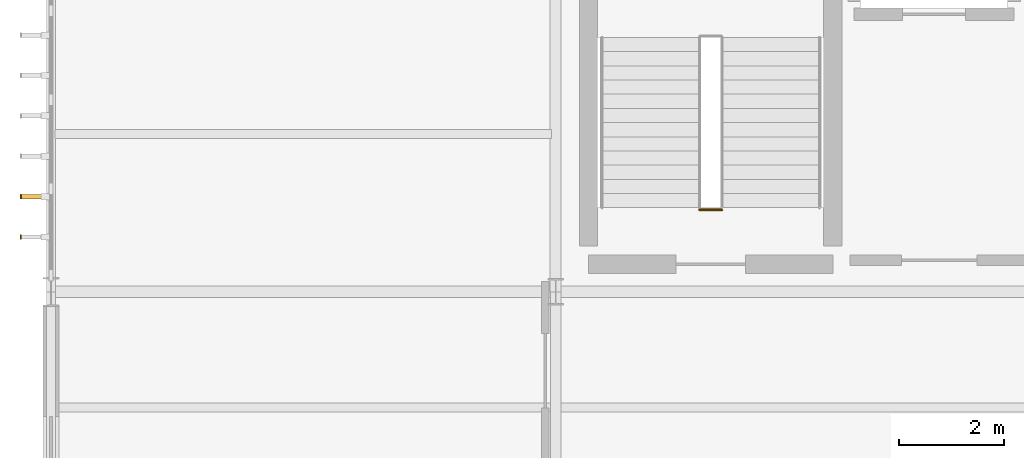
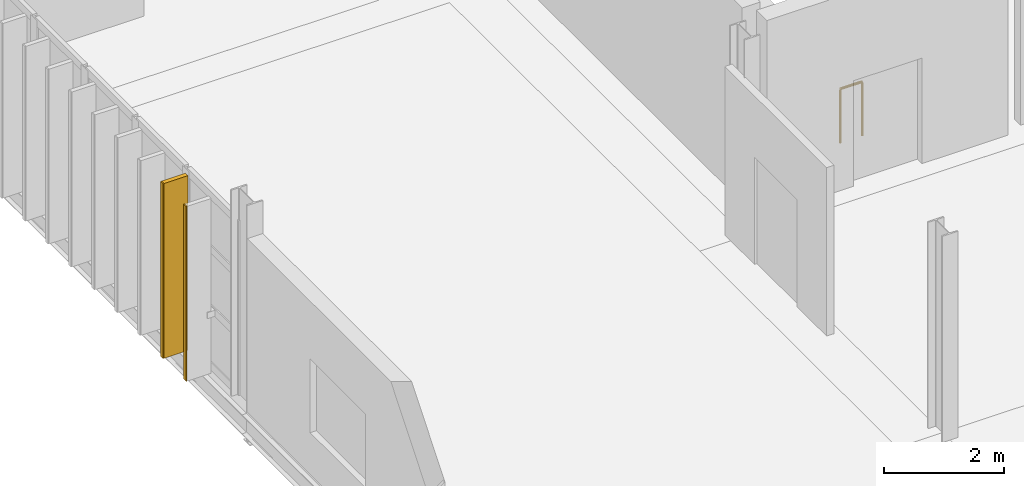
# One storey, part 40 of 52: 2 coverings, 1 railing, 1 shading device.
"""IFC4 building model written with IfcOpenShell, lengths in metres."""

from ifc_helpers import new_model, si_unit, direction, frame, origin, origin_2d, place, context, subcontext, project, spatial, rectangle, circle, extrude, material, layer, layer_set, type_object, element, save


model = new_model("IFC4")

# Units and contexts
model_context = context("Model", 3, precision=1e-05, world=origin(), true_north=direction((0.0, 1.0)))
body_context = subcontext(model_context, "Body", "Model", "MODEL_VIEW")
ifc_project = project(units=[si_unit("LENGTHUNIT", "METRE"), si_unit("AREAUNIT", "SQUARE_METRE"), si_unit("VOLUMEUNIT", "CUBIC_METRE"), si_unit("PLANEANGLEUNIT", "RADIAN"), si_unit("MASSUNIT", "GRAM", prefix="KILO")], contexts=[model_context])

# Site, building, storey
site_placement = place(None, origin())
site = spatial("IfcSite", under=ifc_project, at=site_placement, CompositionType="ELEMENT")
building_placement = place(site_placement, origin())
building = spatial("IfcBuilding", under=site, at=building_placement, Name="Zarnetskaya Central Station", CompositionType="ELEMENT")
storey_placement = place(building_placement, frame((0.0, 0.0, 14.39990234375)))
storey = spatial("IfcBuildingStorey", under=building, at=storey_placement, Name="L03", CompositionType="ELEMENT", Elevation=14.39990234375)

# Coverings
ifc_material_1 = material(Name="Treated larch timber", Category="wood")
ifc_layer = layer(ifc_material_1, 0.02001953125, Name="Treated larch timber", Category="wood")
ifc_layer_set = layer_set([ifc_layer], Name="Treated larch timber")
covering_type = type_object("IfcCoveringType", Name="COV-LARCH-CAP", PredefinedType="CLADDING", material=ifc_layer_set)
for number, where, z_axis, x_axis, name in (
    (1, (-0.580078125, 14.2431640625, 0.0), (0.0, 0.0, 1.0), (0.0, 1.0, 0.0), "Larch fin weather cap CW-L03-032-01"),
    (2, (-0.580078125, 15.011474609375, 0.0), (0.0, 0.0, 1.0), (0.0, 1.0, 0.0), "Larch fin weather cap CW-L03-032-02"),
):
    element("IfcCovering", number, at=place(storey_placement, frame(where, z_axis=z_axis, x_axis=x_axis)), inside=storey, type_object=covering_type, Name=name, PredefinedType="CLADDING", context=body_context, shape_type="SweptSolid", body=[
        extrude(rectangle(XDim=0.0849609375, YDim=0.02001953125, at=origin_2d()), origin(), (0.0, 0.0, 1.0), 3.56005859375),
    ])

# Railing
ifc_material_2 = material(Name="Steel S355", Category="steel")
railing_type = type_object("IfcRailingType", Name="RAIL-STAIR-GRD", PredefinedType="BALUSTRADE", material=ifc_material_2)
railing_placement = place(storey_placement, frame((12.340087890625, 14.760009765625, 0.0)))
element("IfcRailing", 3, at=railing_placement, inside=storey, type_object=railing_type, Name="Stair ST-C1 L03 floor well guard", PredefinedType="BALUSTRADE", context=body_context, shape_type="SweptSolid", body=[
    extrude(circle(Radius=0.02392578125, at=origin_2d()), frame((0.0, 0.0, 1.09619140625), z_axis=(1.0, 0.0, 0.0), x_axis=(0.0, 1.0, 0.0)), (0.0, 0.0, 1.0), 0.419921875),
    extrude(circle(Radius=0.02099609375, at=origin_2d()), origin(), (0.0, 0.0, 1.0), 1.072021484375),
    extrude(circle(Radius=0.02099609375, at=origin_2d()), frame((0.419921875, 0.0, 0.0)), (0.0, 0.0, 1.0), 1.072021484375),
])

# Shading device
ifc_material_3 = material(Name="Larch glulam GL28h", Category="wood")
shading_device_type = type_object("IfcShadingDeviceType", Name="SHD-LARCH-FIN-B", PredefinedType="USERDEFINED", material=ifc_material_3)
shading_device_placement = place(storey_placement, frame((-0.340087890625, 15.011474609375, 0.0), z_axis=(0.0, 0.0, 1.0), x_axis=(0.0, 1.0, 0.0)))
element("IfcShadingDevice", 4, at=shading_device_placement, inside=storey, type_object=shading_device_type, Name="Vertical larch timber fin CW-L03-032-02", ObjectType="TIMBER FIN", PredefinedType="USERDEFINED", context=body_context, shape_type="SweptSolid", body=[
    extrude(rectangle(XDim=0.0849609375, YDim=0.4599609375, at=origin_2d()), origin(), (0.0, 0.0, 1.0), 3.56005859375),
])

save(model, "model.ifc")
